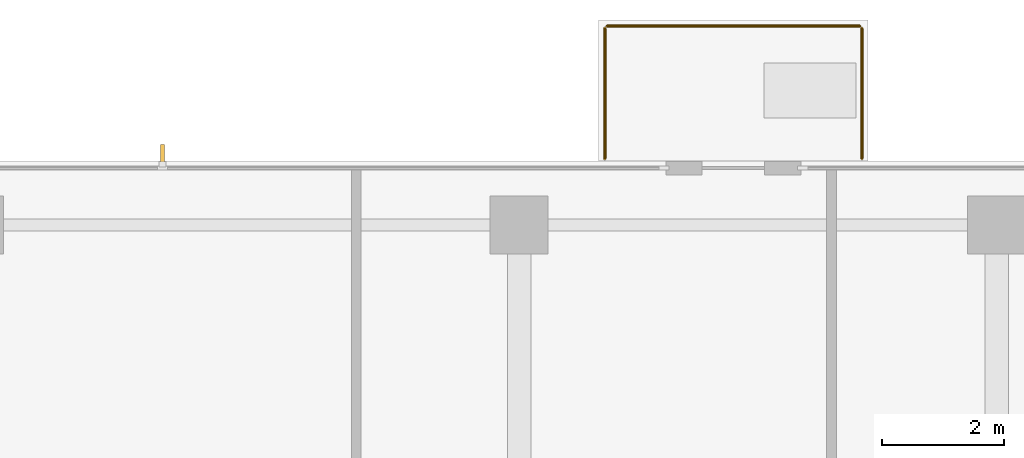
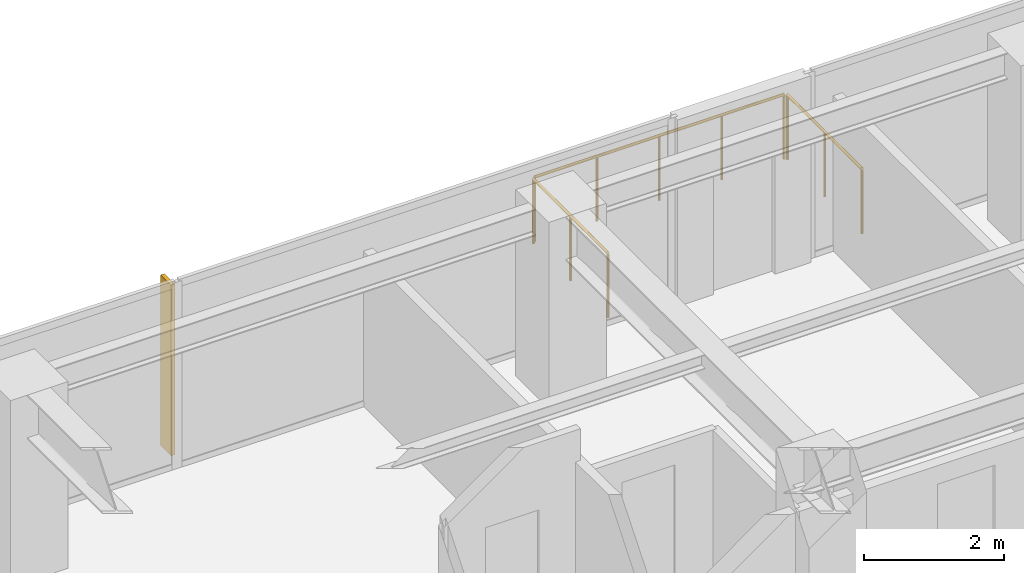
# One storey, part 15 of 15: 3 railings, 1 shading device.
"""IFC4 building model written with IfcOpenShell, lengths in metres."""

import ifcopenshell
import ifcopenshell.guid

model = None  # the IFC model being written
_history = None  # IfcOwnerHistory: only IFC2X3 demands one
_inside = {}  # id of a spatial element -> (the spatial element, [elements in it])
_under = {}  # id of a project, library or spatial element -> (it, [spatial elements below it])
_declared = {}  # id of a project -> (the project, [libraries it declares])
_typed = {}  # id of a type object -> (the type object, [elements of that type])
_made_of = {}  # id of a material, layer set ... -> (it, [elements and type objects made of it])


def new_model(schema):
    """Start an empty IFC model of exactly this schema.

    Asked for "IFC4X3", IfcOpenShell would pick the latest addendum, in which some entities
    have other attributes; the version numbers below select the first issue.
    IFC2X3 requires an IfcOwnerHistory on every rooted entity: one is made here for all.
    """
    global model, _history
    if schema == "IFC4X3":
        model = ifcopenshell.file(schema_version=(4, 3, 0, 0))
    else:
        model = ifcopenshell.file(schema=schema)
    _inside.clear()
    _under.clear()
    _declared.clear()
    _typed.clear()
    _made_of.clear()
    _history = None
    if model.schema == "IFC2X3":
        org = make("IfcOrganization", Name="unknown")
        user = make(
            "IfcPersonAndOrganization",
            ThePerson=make("IfcPerson", FamilyName="unknown"),
            TheOrganization=org,
        )
        app = make(
            "IfcApplication",
            ApplicationDeveloper=org,
            Version="unknown",
            ApplicationFullName="unknown",
            ApplicationIdentifier="unknown",
        )
        _history = make(
            "IfcOwnerHistory",
            OwningUser=user,
            OwningApplication=app,
            ChangeAction="ADDED",
            CreationDate=0,
        )
    return model


def make(cls, **values):
    """One entity of the class cls with the attributes given. An attribute that is None is left unset."""
    return model.create_entity(
        cls, **{name: value for name, value in values.items() if value is not None}
    )


def rooted(cls, **values):
    """An entity with a GlobalId (a new one), such as an element, a storey or a relation."""
    return make(cls, GlobalId=ifcopenshell.guid.new(), OwnerHistory=_history, **values)


def si_unit(unit_type, name, prefix=None):
    """IfcSIUnit, for example si_unit("LENGTHUNIT", "METRE", prefix="MILLI")."""
    return make("IfcSIUnit", UnitType=unit_type, Prefix=prefix, Name=name)


def assignment(units):
    """IfcUnitAssignment: the units of a project."""
    return None if units is None else make("IfcUnitAssignment", Units=units)


def point(xyz):
    """IfcCartesianPoint."""
    return None if xyz is None else make("IfcCartesianPoint", Coordinates=xyz)


def direction(xyz):
    """IfcDirection."""
    return None if xyz is None else make("IfcDirection", DirectionRatios=xyz)


def frame(location, z_axis=None, x_axis=None):
    """IfcAxis2Placement3D, a coordinate frame: its origin and axes. An axis left out is left unset."""
    return make(
        "IfcAxis2Placement3D",
        Location=point(location),
        Axis=direction(z_axis),
        RefDirection=direction(x_axis),
    )


def frame_2d(location, x_axis=None):
    """IfcAxis2Placement2D, a coordinate frame in the plane: its origin and x axis."""
    return make(
        "IfcAxis2Placement2D", Location=point(location), RefDirection=direction(x_axis)
    )


def origin():
    """The frame at (0, 0, 0) with its axes left unset."""
    return frame((0.0, 0.0, 0.0))


def origin_2d():
    """The frame at (0, 0) in the plane with its x axis left unset."""
    return frame_2d((0.0, 0.0))


def place(relative_to, where):
    """IfcLocalPlacement: puts the frame where relative to a parent placement (None: the world)."""
    return make(
        "IfcLocalPlacement", PlacementRelTo=relative_to, RelativePlacement=where
    )


def context(
    kind, dimensions, precision=None, world=None, true_north=None, identifier=None
):
    """IfcGeometricRepresentationContext, for example the 3D "Model" context."""
    return make(
        "IfcGeometricRepresentationContext",
        ContextIdentifier=identifier,
        ContextType=kind,
        CoordinateSpaceDimension=dimensions,
        Precision=precision,
        WorldCoordinateSystem=world,
        TrueNorth=true_north,
    )


def subcontext(parent, identifier, kind, view, scale=None):
    """IfcGeometricRepresentationSubContext, for example "Body" below "Model"."""
    return make(
        "IfcGeometricRepresentationSubContext",
        ContextIdentifier=identifier,
        ContextType=kind,
        ParentContext=parent,
        TargetScale=scale,
        TargetView=view,
    )


def project(units=None, contexts=None):
    """IfcProject with its units and contexts."""
    return rooted(
        "IfcProject",
        Name="project",
        RepresentationContexts=contexts,
        UnitsInContext=assignment(units),
    )


def spatial(cls, under=None, at=None, **own):
    """A site, building, storey or space (cls), placed at a placement, below another one or the project."""
    s = rooted(cls, ObjectPlacement=at, **own)
    if under is not None:
        _under.setdefault(under.id(), (under, []))[1].append(s)
    return s


def polyline(points):
    """IfcPolyline through the points."""
    return make("IfcPolyline", Points=[point(p) for p in points])


def profile(cls, at=None, kind="AREA", **sizes):
    """A parametric profile (cls). Its sizes go by their IFC names, for example OverallWidth=200.0."""
    return make(cls, ProfileType=kind, Position=at, **sizes)


def circle(**sizes):
    """IfcCircleProfileDef."""
    return profile("IfcCircleProfileDef", **sizes)


def outline(outer, holes=None, kind="AREA"):
    """IfcArbitraryClosedProfileDef: a profile drawn as a closed curve; with holes, ...WithVoids."""
    if holes is None:
        return make("IfcArbitraryClosedProfileDef", ProfileType=kind, OuterCurve=outer)
    return make(
        "IfcArbitraryProfileDefWithVoids",
        ProfileType=kind,
        OuterCurve=outer,
        InnerCurves=holes,
    )


def extrude(swept, where, along, depth):
    """IfcExtrudedAreaSolid: the profile swept, set in the frame where, extruded along a direction by depth."""
    return make(
        "IfcExtrudedAreaSolid",
        SweptArea=swept,
        Position=where,
        ExtrudedDirection=direction(along),
        Depth=depth,
    )


def shape(context_of_items, identifier, shape_type, items):
    """IfcShapeRepresentation: the items that make up one representation, for example the "Body"."""
    return make(
        "IfcShapeRepresentation",
        ContextOfItems=context_of_items,
        RepresentationIdentifier=identifier,
        RepresentationType=shape_type,
        Items=items,
    )


def material(Name=None, Category=None):
    """IfcMaterial."""
    return make("IfcMaterial", Name=Name, Category=Category)


def layer(
    of_material, thickness, ventilated=None, Name=None, Category=None, Priority=None
):
    """IfcMaterialLayer: one layer of a wall or slab, of a material (None: an air gap)."""
    return make(
        "IfcMaterialLayer",
        Material=of_material,
        LayerThickness=thickness,
        IsVentilated=ventilated,
        Name=Name,
        Category=Category,
        Priority=Priority,
    )


def layer_set(layers, Name=None):
    """IfcMaterialLayerSet."""
    return make("IfcMaterialLayerSet", MaterialLayers=layers, LayerSetName=Name)


def made_of(thing, what):
    """Note that an element or type object is made of a material, layer set ...; save() writes the relation."""
    if what is not None:
        _made_of.setdefault(what.id(), (what, []))[1].append(thing)
    return thing


def type_object(cls, material=None, **own):
    """A type object (cls), such as IfcWallType, which elements share."""
    return made_of(rooted(cls, **own), material)


def element(
    cls,
    number,
    at=None,
    inside=None,
    cuts=None,
    type_object=None,
    material=None,
    context=None,
    identifier="Body",
    shape_type=None,
    held_by="IfcProductDefinitionShape",
    body=None,
    shapes=None,
    **own,
):
    """One element of the class cls, such as IfcWall. Its Tag is "e" and its number.

    at: its placement. inside: the storey or other place that contains it. cuts: it is an
    opening in that element (IfcRelVoidsElement). A single representation is given by context,
    identifier, shape_type and body (its items); several are given by shapes. held_by: the class
    of the entity that holds the representations. save() writes the other relations.
    """
    e = rooted(cls, Tag="e%d" % number, ObjectPlacement=at, **own)
    if body is not None:
        shapes = [shape(context, identifier, shape_type, body)]
    if shapes is not None:
        e.Representation = make(held_by, Representations=shapes)
    if inside is not None:
        _inside.setdefault(inside.id(), (inside, []))[1].append(e)
    if cuts is not None:
        rooted(
            "IfcRelVoidsElement", RelatingBuildingElement=cuts, RelatedOpeningElement=e
        )
    if type_object is not None:
        _typed.setdefault(type_object.id(), (type_object, []))[1].append(e)
    return made_of(e, material)


def aggregate(whole, parts):
    """IfcRelAggregates: a whole, such as a stair, and the parts it consists of."""
    return rooted("IfcRelAggregates", RelatingObject=whole, RelatedObjects=parts)


def save(model, path):
    """Write the relations noted so far, then the file.

    IfcRelAggregates (storeys below a building ...), IfcRelContainedInSpatialStructure (elements
    in a storey), IfcRelDefinesByType, IfcRelAssociatesMaterial and IfcRelDeclares: one each for
    every whole, place, type object, material and project.
    """
    for whole, parts in _under.values():
        aggregate(whole, parts)
    for where, things in _inside.values():
        rooted(
            "IfcRelContainedInSpatialStructure",
            RelatedElements=things,
            RelatingStructure=where,
        )
    for kind, things in _typed.values():
        rooted("IfcRelDefinesByType", RelatedObjects=things, RelatingType=kind)
    for what, things in _made_of.values():
        rooted("IfcRelAssociatesMaterial", RelatedObjects=things, RelatingMaterial=what)
    for by, libraries in _declared.values():
        rooted("IfcRelDeclares", RelatingContext=by, RelatedDefinitions=libraries)
    model.write(path)


model = new_model("IFC4")

# Units and contexts
model_context = context("Model", 3, precision=1e-05, world=origin(), true_north=direction((0.0, 1.0)))
body_context = subcontext(model_context, "Body", "Model", "MODEL_VIEW")
ifc_project = project(units=[si_unit("LENGTHUNIT", "METRE"), si_unit("AREAUNIT", "SQUARE_METRE"), si_unit("VOLUMEUNIT", "CUBIC_METRE"), si_unit("PLANEANGLEUNIT", "RADIAN"), si_unit("MASSUNIT", "GRAM", prefix="KILO")], contexts=[model_context])

# Site, building, storey
site_placement = place(None, origin())
site = spatial("IfcSite", under=ifc_project, at=site_placement, CompositionType="ELEMENT")
building_placement = place(site_placement, origin())
building = spatial("IfcBuilding", under=site, at=building_placement, Name="Qalmaran Belvedere Hotel", CompositionType="ELEMENT")
storey_placement = place(building_placement, frame((0.0, 0.0, 231.89990234375)))
storey = spatial("IfcBuildingStorey", under=building, at=storey_placement, Name="L59", CompositionType="ELEMENT", Elevation=231.89990234375)

# Shading device
ifc_material = material(Name="Anodised Bronze Aluminium", Category="aluminium")
ifc_layer = layer(ifc_material, 0.06494140625, Name="Anodised Bronze Aluminium")
ifc_layer_set = layer_set([ifc_layer], Name="Anodised Bronze Aluminium")
shading_device_type = type_object("IfcShadingDeviceType", Name="FIN-BRNZ-300", PredefinedType="USERDEFINED", material=ifc_layer_set)
shading_device_placement = place(storey_placement, frame((0.0, 0.0, 0.16015625)))
element("IfcShadingDevice", 1, at=shading_device_placement, inside=storey, type_object=shading_device_type, Name="L59 Bronze Fin 1", ObjectType="FIN", PredefinedType="USERDEFINED", context=body_context, shape_type="SweptSolid", body=[
    extrude(outline(polyline([(23.407470703125, 41.467529296875), (23.407470703125, 41.767578125), (23.342529296875, 41.767578125), (23.342529296875, 41.467529296875), (23.407470703125, 41.467529296875)])), origin(), (0.0, 0.0, 1.0), 2.97998046875),
])

# Railings
railing_type = type_object("IfcRailingType", Name="GRD-BAL-1150", PredefinedType="BALUSTRADE", material=ifc_material)
railing_1_placement = place(storey_placement, frame((30.60009765625, 41.534912109375, 0.0)))
element("IfcRailing", 2, at=railing_1_placement, inside=storey, type_object=railing_type, Name="L59 Guardrail BAL-L59-N-1", PredefinedType="BALUSTRADE", context=body_context, shape_type="SweptSolid", body=[
    extrude(circle(Radius=0.02392578125, at=origin_2d()), frame((0.0, 0.0, 1.1259765625), z_axis=(0.0, 1.0, 0.0), x_axis=(-1.0, 0.0, 0.0)), (0.0, 0.0, 1.0), 2.130126953125),
    extrude(circle(Radius=0.02099609375, at=origin_2d()), origin(), (0.0, 0.0, 1.0), 1.101806640625),
    extrude(circle(Radius=0.02099609375, at=origin_2d()), frame((0.0, 1.06494140625, 0.0)), (0.0, 0.0, 1.0), 1.101806640625),
    extrude(circle(Radius=0.02099609375, at=origin_2d()), frame((0.0, 2.130126953125, 0.0)), (0.0, 0.0, 1.0), 1.101806640625),
])
railing_2_placement = place(storey_placement, frame((30.635009765625, 43.699951171875, 0.0)))
element("IfcRailing", 3, at=railing_2_placement, inside=storey, type_object=railing_type, Name="L59 Guardrail BAL-L59-N-2", PredefinedType="BALUSTRADE", context=body_context, shape_type="SweptSolid", body=[
    extrude(circle(Radius=0.02392578125, at=origin_2d()), frame((0.0, 0.0, 1.1259765625), z_axis=(1.0, 0.0, 0.0), x_axis=(0.0, 1.0, 0.0)), (0.0, 0.0, 1.0), 4.1298828125),
    extrude(circle(Radius=0.02099609375, at=origin_2d()), origin(), (0.0, 0.0, 1.0), 1.101806640625),
    extrude(circle(Radius=0.02099609375, at=origin_2d()), frame((1.032470703125, 0.0, 0.0)), (0.0, 0.0, 1.0), 1.101806640625),
    extrude(circle(Radius=0.02099609375, at=origin_2d()), frame((2.06494140625, 0.0, 0.0)), (0.0, 0.0, 1.0), 1.101806640625),
    extrude(circle(Radius=0.02099609375, at=origin_2d()), frame((3.097412109375, 0.0, 0.0)), (0.0, 0.0, 1.0), 1.101806640625),
    extrude(circle(Radius=0.02099609375, at=origin_2d()), frame((4.1298828125, 0.0, 0.0)), (0.0, 0.0, 1.0), 1.101806640625),
])
railing_3_placement = place(storey_placement, frame((34.800048828125, 43.6650390625, 0.0)))
element("IfcRailing", 4, at=railing_3_placement, inside=storey, type_object=railing_type, Name="L59 Guardrail BAL-L59-N-3", PredefinedType="BALUSTRADE", context=body_context, shape_type="SweptSolid", body=[
    extrude(circle(Radius=0.02392578125, at=origin_2d()), frame((0.0, 0.0, 1.1259765625), z_axis=(0.0, -1.0, 0.0), x_axis=(1.0, 0.0, 0.0)), (0.0, 0.0, 1.0), 2.130126953125),
    extrude(circle(Radius=0.02099609375, at=origin_2d()), origin(), (0.0, 0.0, 1.0), 1.101806640625),
    extrude(circle(Radius=0.02099609375, at=origin_2d()), frame((0.0, -1.06494140625, 0.0)), (0.0, 0.0, 1.0), 1.101806640625),
    extrude(circle(Radius=0.02099609375, at=origin_2d()), frame((0.0, -2.130126953125, 0.0)), (0.0, 0.0, 1.0), 1.101806640625),
])

save(model, "model.ifc")
